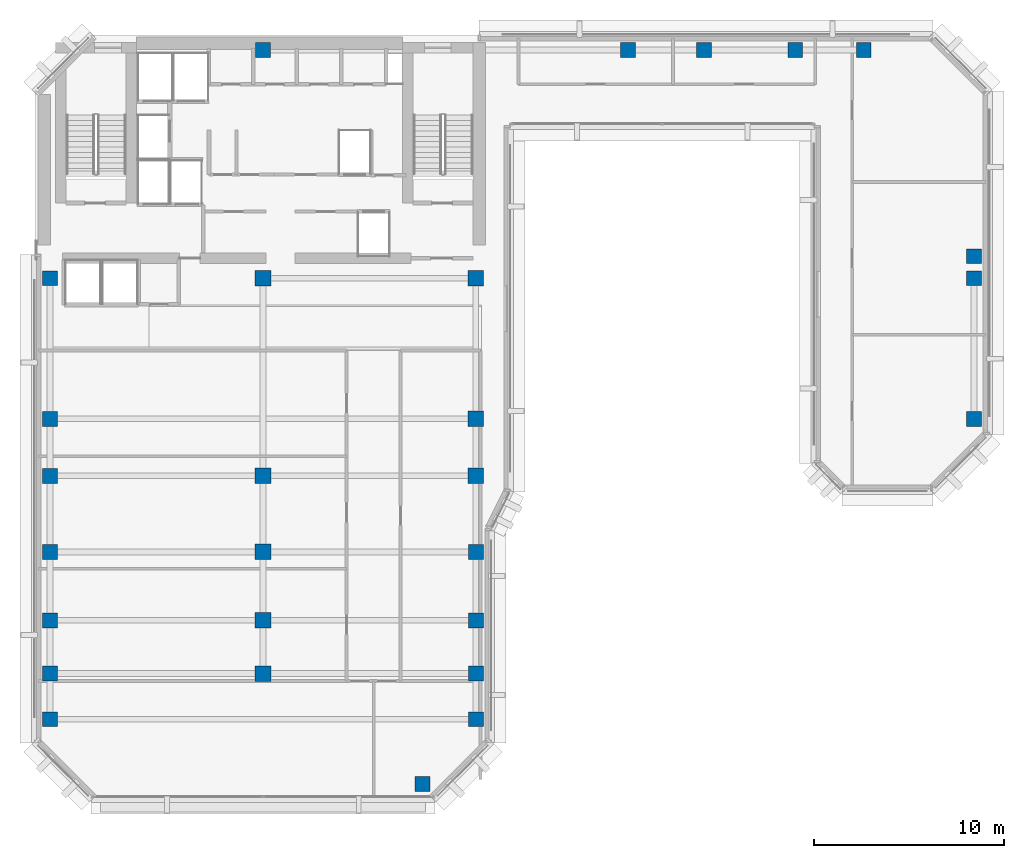
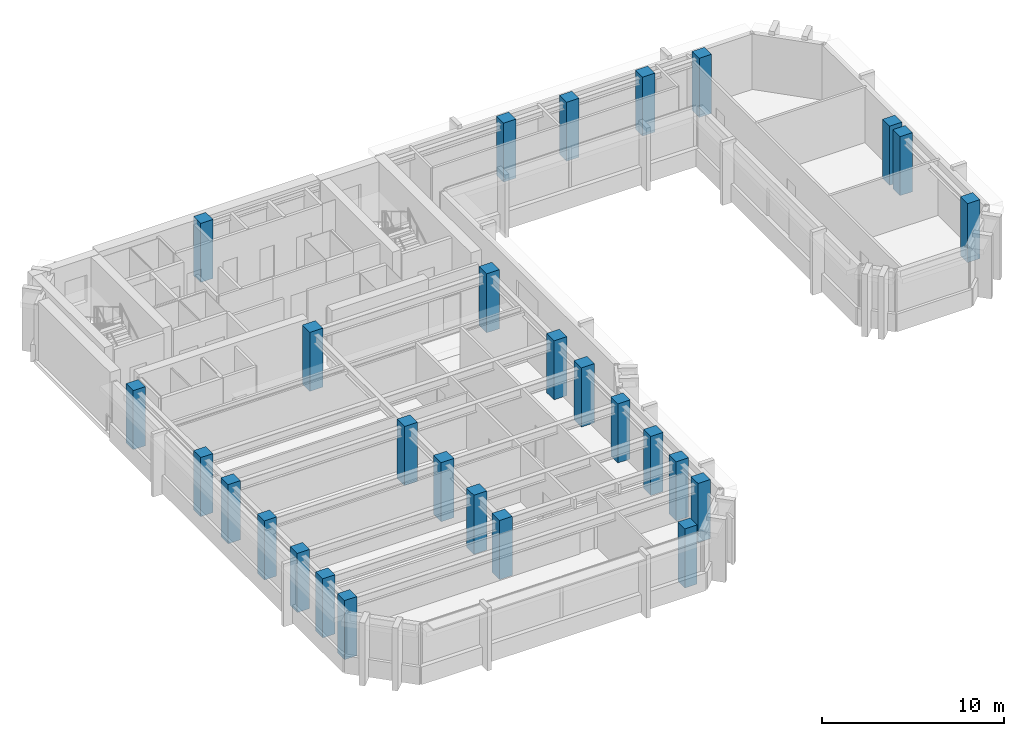
# One storey, part 1 of 11: 28 columns.
"""IFC4 building model written with IfcOpenShell, lengths in metres."""

from ifc_helpers import new_model, si_unit, direction, frame, origin, origin_2d, place, context, subcontext, project, spatial, rectangle, extrude, material, material_profile, profile_set, type_object, element, save


model = new_model("IFC4")

# Units and contexts
model_context = context("Model", 3, precision=1e-05, world=origin(), true_north=direction((0.0, 1.0)))
body_context = subcontext(model_context, "Body", "Model", "MODEL_VIEW")
ifc_project = project(units=[si_unit("LENGTHUNIT", "METRE"), si_unit("AREAUNIT", "SQUARE_METRE"), si_unit("VOLUMEUNIT", "CUBIC_METRE"), si_unit("PLANEANGLEUNIT", "RADIAN"), si_unit("MASSUNIT", "GRAM", prefix="KILO")], contexts=[model_context])

# Site, building, storey
site_placement = place(None, origin())
site = spatial("IfcSite", under=ifc_project, at=site_placement, CompositionType="ELEMENT")
building_placement = place(site_placement, origin())
building = spatial("IfcBuilding", under=site, at=building_placement, Name="Kefirva Bronze Tower", CompositionType="ELEMENT")
storey_placement = place(building_placement, frame((0.0, 0.0, 227.699951171875)))
storey = spatial("IfcBuildingStorey", under=building, at=storey_placement, Name="L55", CompositionType="ELEMENT", Elevation=227.699951171875)

# Columns
ifc_material = material(Name="Concrete C50/60", Category="concrete")
ifc_material_profile_1 = material_profile(ifc_material, rectangle(XDim=0.780029296875, YDim=0.780029296875, at=origin_2d()), Name="RC 780x780")
ifc_profile_set_1 = profile_set([ifc_material_profile_1], Name="Concrete C50/60")
column_type_1 = type_object("IfcColumnType", Name="RC Column 780x780 Ext", PredefinedType="COLUMN", material=ifc_profile_set_1)
for number, where, z_axis, x_axis, name in (
    (1, (0.800048828125, 10.0, 0.0), (0.0, 0.0, 1.0), (1.0, 0.0, 0.0), "L55 Column C008_100"),
    (2, (0.800048828125, 12.39990234375, 0.0), (0.0, 0.0, 1.0), (1.0, 0.0, 0.0), "L55 Column C008_124"),
    (3, (0.800048828125, 15.199951171875, 0.0), (0.0, 0.0, 1.0), (1.0, 0.0, 0.0), "L55 Column C008_152"),
    (4, (0.800048828125, 18.800048828125, 0.0), (0.0, 0.0, 1.0), (1.0, 0.0, 0.0), "L55 Column C008_188"),
    (5, (0.800048828125, 22.800048828125, 0.0), (0.0, 0.0, 1.0), (1.0, 0.0, 0.0), "L55 Column C008_228"),
    (6, (0.800048828125, 25.800048828125, 0.0), (0.0, 0.0, 1.0), (1.0, 0.0, 0.0), "L55 Column C008_258"),
    (7, (0.800048828125, 33.199951171875, 0.0), (0.0, 0.0, 1.0), (1.0, 0.0, 0.0), "L55 Column C008_332"),
    (8, (12.0, 45.199951171875, 0.0), (0.0, 0.0, 1.0), (1.0, 0.0, 0.0), "L55 Column C120_452"),
    (9, (20.39990234375, 6.60009765625, 0.0), (0.0, 0.0, 1.0), (1.0, 0.0, 0.0), "L55 Column C204_066"),
    (10, (23.199951171875, 10.0, 0.0), (0.0, 0.0, 1.0), (1.0, 0.0, 0.0), "L55 Column C232_100"),
    (11, (23.199951171875, 12.39990234375, 0.0), (0.0, 0.0, 1.0), (1.0, 0.0, 0.0), "L55 Column C232_124"),
    (12, (23.199951171875, 15.199951171875, 0.0), (0.0, 0.0, 1.0), (1.0, 0.0, 0.0), "L55 Column C232_152"),
    (13, (23.199951171875, 18.800048828125, 0.0), (0.0, 0.0, 1.0), (1.0, 0.0, 0.0), "L55 Column C232_188"),
    (14, (31.199951171875, 45.199951171875, 0.0), (0.0, 0.0, 1.0), (1.0, 0.0, 0.0), "L55 Column C312_452"),
    (15, (35.199951171875, 45.199951171875, 0.0), (0.0, 0.0, 1.0), (1.0, 0.0, 0.0), "L55 Column C352_452"),
    (16, (40.0, 45.199951171875, 0.0), (0.0, 0.0, 1.0), (1.0, 0.0, 0.0), "L55 Column C400_452"),
    (17, (43.60009765625, 45.199951171875, 0.0), (0.0, 0.0, 1.0), (1.0, 0.0, 0.0), "L55 Column C436_452"),
    (18, (49.39990234375, 25.800048828125, 0.0), (0.0, 0.0, 1.0), (1.0, 0.0, 0.0), "L55 Column C494_258"),
    (19, (49.39990234375, 33.199951171875, 0.0), (0.0, 0.0, 1.0), (1.0, 0.0, 0.0), "L55 Column C494_332"),
    (20, (49.39990234375, 34.35009765625, 0.0), (0.0, 0.0, 1.0), (1.0, 0.0, 0.0), "L55 Column C494_344"),
):
    element("IfcColumn", number, at=place(storey_placement, frame(where, z_axis=z_axis, x_axis=x_axis)), inside=storey, type_object=column_type_1, Name=name, PredefinedType="COLUMN", context=body_context, shape_type="SweptSolid", body=[
        extrude(rectangle(XDim=0.780029296875, YDim=0.780029296875, at=origin_2d()), origin(), (0.0, 0.0, 1.0), 3.9599609375),
    ])
ifc_material_profile_2 = material_profile(ifc_material, rectangle(XDim=0.820068359375, YDim=0.820068359375, at=origin_2d()), Name="RC 820x820")
ifc_profile_set_2 = profile_set([ifc_material_profile_2], Name="Concrete C50/60")
column_type_2 = type_object("IfcColumnType", Name="RC Column 820x820 Int", PredefinedType="COLUMN", material=ifc_profile_set_2)
for number, where, z_axis, x_axis, name in (
    (21, (12.0, 12.39990234375, 0.0), (0.0, 0.0, 1.0), (1.0, 0.0, 0.0), "L55 Column C120_124"),
    (22, (12.0, 15.199951171875, 0.0), (0.0, 0.0, 1.0), (1.0, 0.0, 0.0), "L55 Column C120_152"),
    (23, (12.0, 18.800048828125, 0.0), (0.0, 0.0, 1.0), (1.0, 0.0, 0.0), "L55 Column C120_188"),
    (24, (12.0, 22.800048828125, 0.0), (0.0, 0.0, 1.0), (1.0, 0.0, 0.0), "L55 Column C120_228"),
    (25, (12.0, 33.199951171875, 0.0), (0.0, 0.0, 1.0), (1.0, 0.0, 0.0), "L55 Column C120_332"),
    (26, (23.199951171875, 22.800048828125, 0.0), (0.0, 0.0, 1.0), (1.0, 0.0, 0.0), "L55 Column C232_228"),
    (27, (23.199951171875, 25.800048828125, 0.0), (0.0, 0.0, 1.0), (1.0, 0.0, 0.0), "L55 Column C232_258"),
    (28, (23.199951171875, 33.199951171875, 0.0), (0.0, 0.0, 1.0), (1.0, 0.0, 0.0), "L55 Column C232_332"),
):
    element("IfcColumn", number, at=place(storey_placement, frame(where, z_axis=z_axis, x_axis=x_axis)), inside=storey, type_object=column_type_2, Name=name, PredefinedType="COLUMN", context=body_context, shape_type="SweptSolid", body=[
        extrude(rectangle(XDim=0.820068359375, YDim=0.820068359375, at=origin_2d()), origin(), (0.0, 0.0, 1.0), 3.9599609375),
    ])

save(model, "model.ifc")
